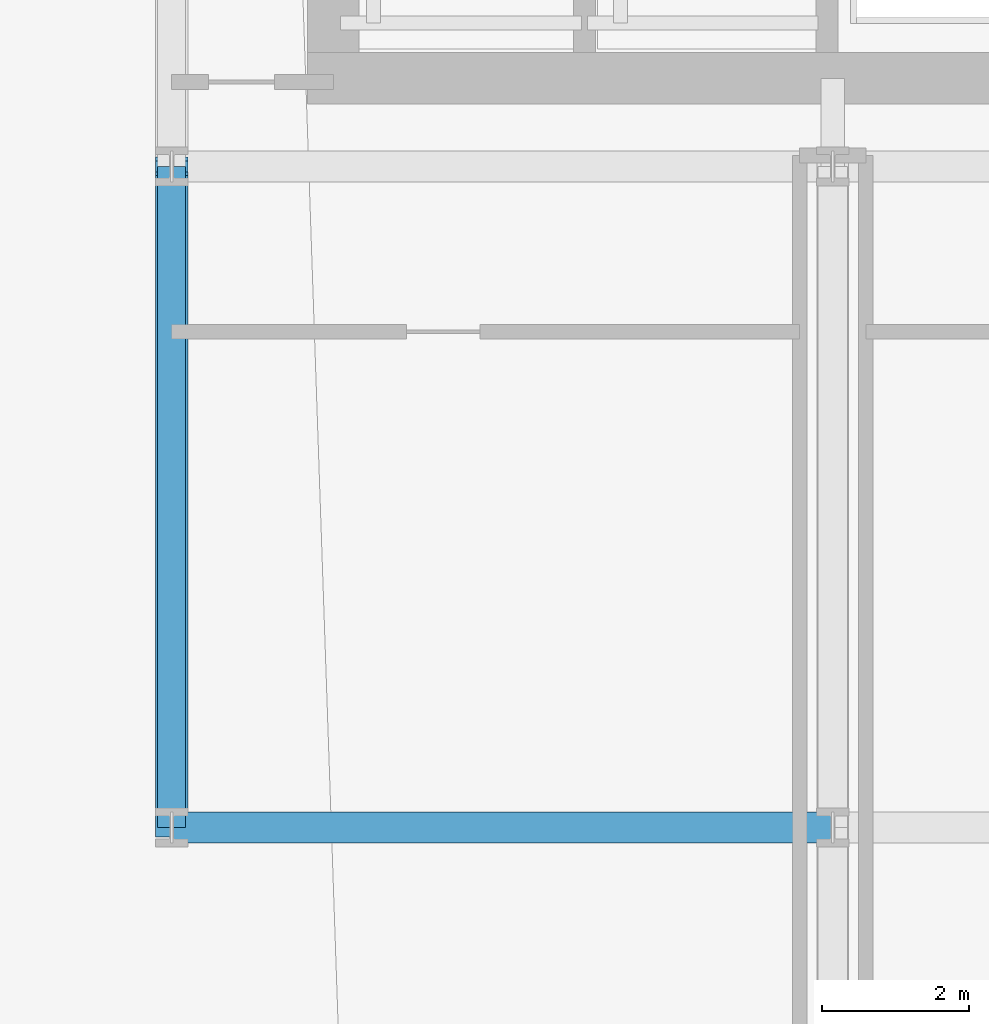
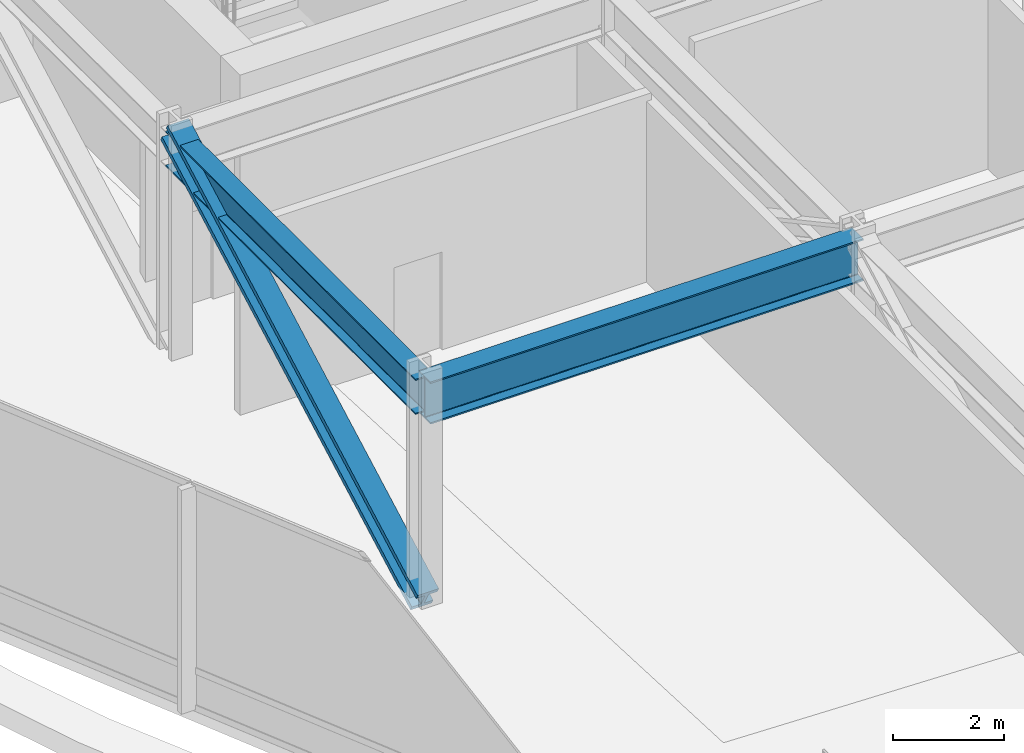
# One storey, part 6 of 37: 2 beams, 1 member.
"""IFC4 building model written with IfcOpenShell, lengths in metres."""

from ifc_helpers import new_model, si_unit, direction, frame, origin, origin_2d, place, context, subcontext, project, spatial, i_section, extrude, material, material_profile, profile_set, type_object, element, save


model = new_model("IFC4")

# Units and contexts
model_context = context("Model", 3, precision=1e-05, world=origin(), true_north=direction((0.0, 1.0)))
body_context = subcontext(model_context, "Body", "Model", "MODEL_VIEW")
ifc_project = project(units=[si_unit("LENGTHUNIT", "METRE"), si_unit("AREAUNIT", "SQUARE_METRE"), si_unit("VOLUMEUNIT", "CUBIC_METRE"), si_unit("PLANEANGLEUNIT", "RADIAN"), si_unit("MASSUNIT", "GRAM", prefix="KILO")], contexts=[model_context])

# Site, building, storey
site_placement = place(None, origin())
site = spatial("IfcSite", under=ifc_project, at=site_placement, CompositionType="ELEMENT")
building_placement = place(site_placement, origin())
building = spatial("IfcBuilding", under=site, at=building_placement, Name="Solvaryn Broadcast Tower", CompositionType="ELEMENT")
storey_placement = place(building_placement, frame((0.0, 0.0, 30.800048828125)))
storey = spatial("IfcBuildingStorey", under=building, at=storey_placement, Name="L06", CompositionType="ELEMENT", Elevation=30.800048828125)

# Beams
ifc_material_1 = material(Name="Steel ASTM A992 Grade 50", Category="steel")
ifc_material_profile_1 = material_profile(ifc_material_1, i_section(OverallWidth=0.41796875, OverallDepth=0.927001953125, WebThickness=0.019287109375, FlangeThickness=0.031982421875, FilletRadius=0.02392578125, at=origin_2d()))
ifc_profile_set_1 = profile_set([ifc_material_profile_1], Name="Steel ASTM A992 Grade 50")
beam_type_1 = type_object("IfcBeamType", Name="BM-G2-W36X231", PredefinedType="BEAM", material=ifc_profile_set_1)
beam_1_placement = place(storey_placement, frame((9.0, 18.0, 4.45654296875), z_axis=(1.0, 0.0, 0.0), x_axis=(0.0, 1.0, 0.0)))
element("IfcBeam", 1, at=beam_1_placement, inside=storey, type_object=beam_type_1, Name="L06 Primary Beam X (9-18 @ Y=18)", PredefinedType="BEAM", context=body_context, shape_type="SweptSolid", body=[
    extrude(i_section(OverallWidth=0.41796875, OverallDepth=0.927001953125, WebThickness=0.019287109375, FlangeThickness=0.031982421875, FilletRadius=0.02392578125, at=origin_2d()), origin(), (0.0, 0.0, 1.0), 9.0),
])
ifc_material_2 = material(Name="Steel ASTM A992 Grade 50", Category="steel")
ifc_material_profile_2 = material_profile(ifc_material_2, i_section(OverallWidth=0.381103515625, OverallDepth=0.77294921875, WebThickness=0.0166015625, FlangeThickness=0.027099609375, FilletRadius=0.01806640625, at=origin_2d()))
ifc_profile_set_2 = profile_set([ifc_material_profile_2], Name="Steel ASTM A992 Grade 50")
beam_type_2 = type_object("IfcBeamType", Name="BM-SP1-W30X173", PredefinedType="USERDEFINED", material=ifc_profile_set_2)
beam_2_placement = place(storey_placement, frame((9.0, 18.0, 4.533447265625), z_axis=(0.0, 1.0, 0.0), x_axis=(-1.0, 0.0, 0.0)))
element("IfcBeam", 2, at=beam_2_placement, inside=storey, type_object=beam_type_2, Name="L06 Spandrel Beam Y (18-27 @ X=9)", ObjectType="SPANDREL", PredefinedType="USERDEFINED", context=body_context, shape_type="SweptSolid", body=[
    extrude(i_section(OverallWidth=0.381103515625, OverallDepth=0.77294921875, WebThickness=0.0166015625, FlangeThickness=0.027099609375, FilletRadius=0.01806640625, at=origin_2d()), origin(), (0.0, 0.0, 1.0), 9.0),
])

# Member
ifc_material_3 = material(Name="Steel ASTM A913 Grade 65", Category="steel")
ifc_material_profile_3 = material_profile(ifc_material_3, i_section(OverallWidth=0.44189453125, OverallDepth=0.531005859375, WebThickness=0.06591796875, FlangeThickness=0.105712890625, FilletRadius=0.014892578125, at=origin_2d()))
ifc_profile_set_3 = profile_set([ifc_material_profile_3], Name="Steel ASTM A913 Grade 65")
member_type = type_object("IfcMemberType", Name="MB-TRUSS-CHORD", PredefinedType="CHORD", material=ifc_profile_set_3)
member_placement = place(storey_placement, frame((9.0, 18.0, 0.02001953125), z_axis=(0.0, 0.879092151416, 0.476651853367), x_axis=(-1.0, 0.0, 0.0)))
element("IfcMember", 3, at=member_placement, inside=storey, type_object=member_type, Name="L06 Transfer Belt Chord 10", PredefinedType="CHORD", context=body_context, shape_type="SweptSolid", body=[
    extrude(i_section(OverallWidth=0.44189453125, OverallDepth=0.531005859375, WebThickness=0.06591796875, FlangeThickness=0.105712890625, FilletRadius=0.014892578125, at=origin_2d()), origin(), (0.0, 0.0, 1.0), 10.23779296875),
])

save(model, "model.ifc")
